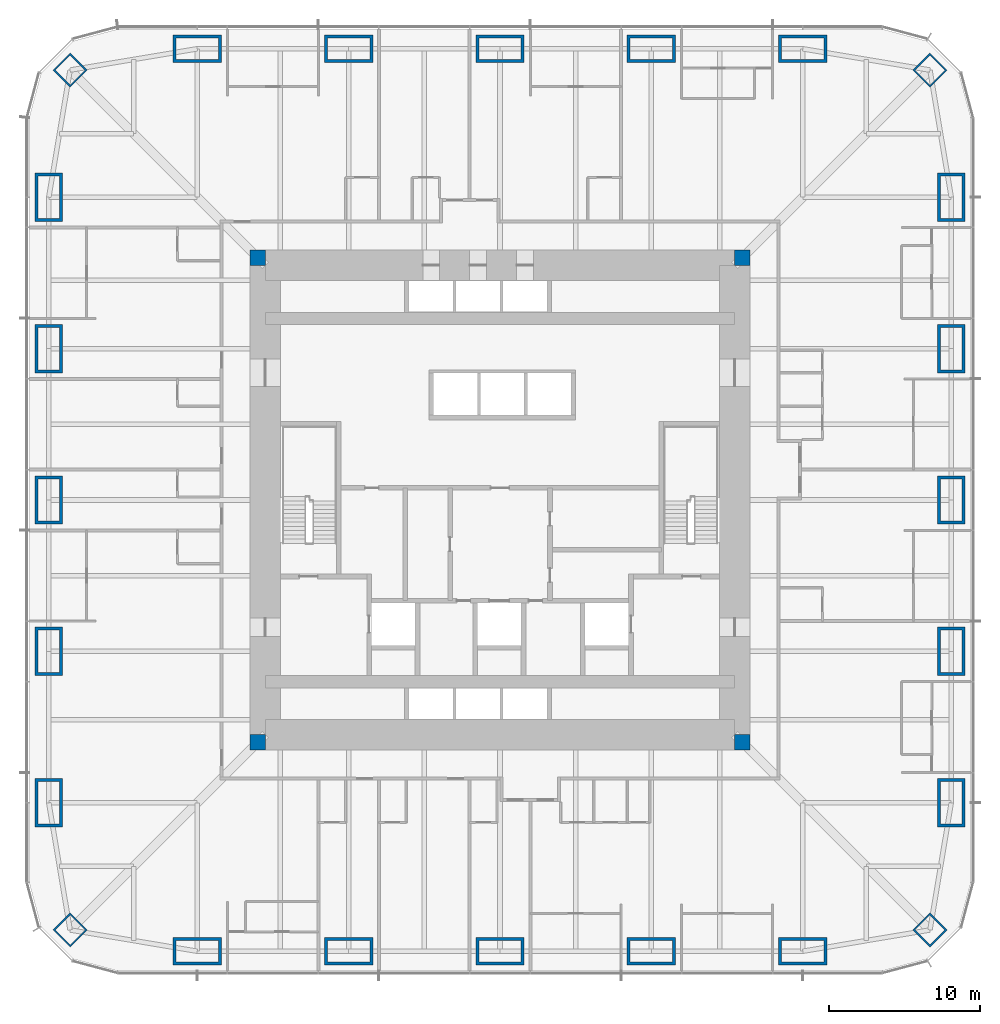
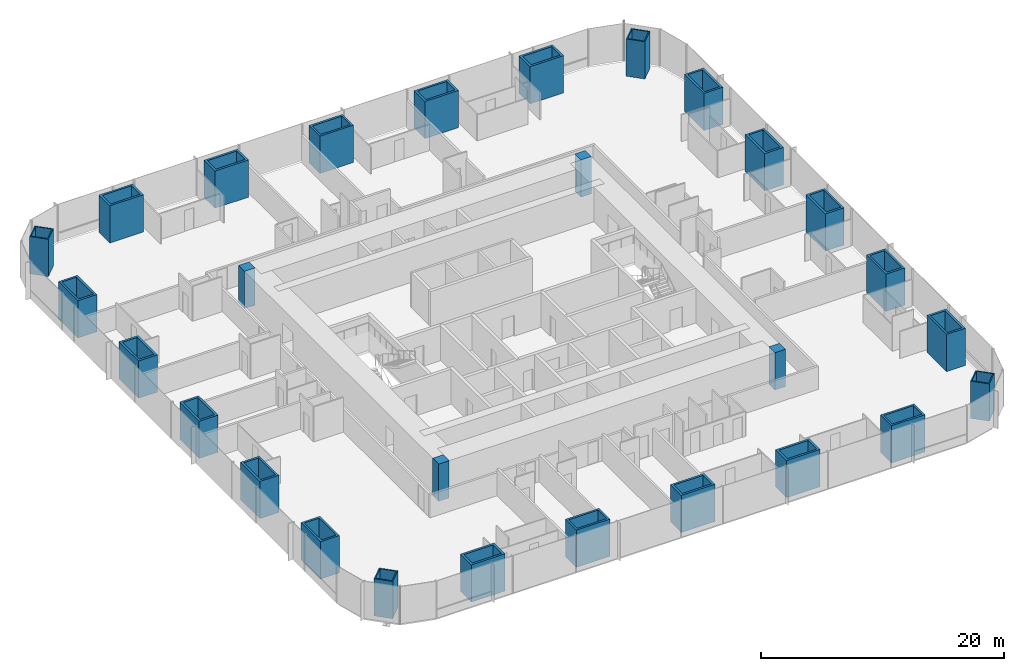
# One storey, part 1 of 16: 28 columns.
"""IFC4 building model written with IfcOpenShell, lengths in metres."""

import ifcopenshell
import ifcopenshell.guid

model = None  # the IFC model being written
_history = None  # IfcOwnerHistory: only IFC2X3 demands one
_inside = {}  # id of a spatial element -> (the spatial element, [elements in it])
_under = {}  # id of a project, library or spatial element -> (it, [spatial elements below it])
_declared = {}  # id of a project -> (the project, [libraries it declares])
_typed = {}  # id of a type object -> (the type object, [elements of that type])
_made_of = {}  # id of a material, layer set ... -> (it, [elements and type objects made of it])


def new_model(schema):
    """Start an empty IFC model of exactly this schema.

    Asked for "IFC4X3", IfcOpenShell would pick the latest addendum, in which some entities
    have other attributes; the version numbers below select the first issue.
    IFC2X3 requires an IfcOwnerHistory on every rooted entity: one is made here for all.
    """
    global model, _history
    if schema == "IFC4X3":
        model = ifcopenshell.file(schema_version=(4, 3, 0, 0))
    else:
        model = ifcopenshell.file(schema=schema)
    _inside.clear()
    _under.clear()
    _declared.clear()
    _typed.clear()
    _made_of.clear()
    _history = None
    if model.schema == "IFC2X3":
        org = make("IfcOrganization", Name="unknown")
        user = make(
            "IfcPersonAndOrganization",
            ThePerson=make("IfcPerson", FamilyName="unknown"),
            TheOrganization=org,
        )
        app = make(
            "IfcApplication",
            ApplicationDeveloper=org,
            Version="unknown",
            ApplicationFullName="unknown",
            ApplicationIdentifier="unknown",
        )
        _history = make(
            "IfcOwnerHistory",
            OwningUser=user,
            OwningApplication=app,
            ChangeAction="ADDED",
            CreationDate=0,
        )
    return model


def make(cls, **values):
    """One entity of the class cls with the attributes given. An attribute that is None is left unset."""
    return model.create_entity(
        cls, **{name: value for name, value in values.items() if value is not None}
    )


def rooted(cls, **values):
    """An entity with a GlobalId (a new one), such as an element, a storey or a relation."""
    return make(cls, GlobalId=ifcopenshell.guid.new(), OwnerHistory=_history, **values)


def si_unit(unit_type, name, prefix=None):
    """IfcSIUnit, for example si_unit("LENGTHUNIT", "METRE", prefix="MILLI")."""
    return make("IfcSIUnit", UnitType=unit_type, Prefix=prefix, Name=name)


def assignment(units):
    """IfcUnitAssignment: the units of a project."""
    return None if units is None else make("IfcUnitAssignment", Units=units)


def point(xyz):
    """IfcCartesianPoint."""
    return None if xyz is None else make("IfcCartesianPoint", Coordinates=xyz)


def direction(xyz):
    """IfcDirection."""
    return None if xyz is None else make("IfcDirection", DirectionRatios=xyz)


def frame(location, z_axis=None, x_axis=None):
    """IfcAxis2Placement3D, a coordinate frame: its origin and axes. An axis left out is left unset."""
    return make(
        "IfcAxis2Placement3D",
        Location=point(location),
        Axis=direction(z_axis),
        RefDirection=direction(x_axis),
    )


def frame_2d(location, x_axis=None):
    """IfcAxis2Placement2D, a coordinate frame in the plane: its origin and x axis."""
    return make(
        "IfcAxis2Placement2D", Location=point(location), RefDirection=direction(x_axis)
    )


def origin():
    """The frame at (0, 0, 0) with its axes left unset."""
    return frame((0.0, 0.0, 0.0))


def origin_2d():
    """The frame at (0, 0) in the plane with its x axis left unset."""
    return frame_2d((0.0, 0.0))


def place(relative_to, where):
    """IfcLocalPlacement: puts the frame where relative to a parent placement (None: the world)."""
    return make(
        "IfcLocalPlacement", PlacementRelTo=relative_to, RelativePlacement=where
    )


def context(
    kind, dimensions, precision=None, world=None, true_north=None, identifier=None
):
    """IfcGeometricRepresentationContext, for example the 3D "Model" context."""
    return make(
        "IfcGeometricRepresentationContext",
        ContextIdentifier=identifier,
        ContextType=kind,
        CoordinateSpaceDimension=dimensions,
        Precision=precision,
        WorldCoordinateSystem=world,
        TrueNorth=true_north,
    )


def subcontext(parent, identifier, kind, view, scale=None):
    """IfcGeometricRepresentationSubContext, for example "Body" below "Model"."""
    return make(
        "IfcGeometricRepresentationSubContext",
        ContextIdentifier=identifier,
        ContextType=kind,
        ParentContext=parent,
        TargetScale=scale,
        TargetView=view,
    )


def project(units=None, contexts=None):
    """IfcProject with its units and contexts."""
    return rooted(
        "IfcProject",
        Name="project",
        RepresentationContexts=contexts,
        UnitsInContext=assignment(units),
    )


def spatial(cls, under=None, at=None, **own):
    """A site, building, storey or space (cls), placed at a placement, below another one or the project."""
    s = rooted(cls, ObjectPlacement=at, **own)
    if under is not None:
        _under.setdefault(under.id(), (under, []))[1].append(s)
    return s


def profile(cls, at=None, kind="AREA", **sizes):
    """A parametric profile (cls). Its sizes go by their IFC names, for example OverallWidth=200.0."""
    return make(cls, ProfileType=kind, Position=at, **sizes)


def rectangle(**sizes):
    """IfcRectangleProfileDef."""
    return profile("IfcRectangleProfileDef", **sizes)


def hollow_rectangle(**sizes):
    """IfcRectangleHollowProfileDef."""
    return profile("IfcRectangleHollowProfileDef", **sizes)


def extrude(swept, where, along, depth):
    """IfcExtrudedAreaSolid: the profile swept, set in the frame where, extruded along a direction by depth."""
    return make(
        "IfcExtrudedAreaSolid",
        SweptArea=swept,
        Position=where,
        ExtrudedDirection=direction(along),
        Depth=depth,
    )


def shape(context_of_items, identifier, shape_type, items):
    """IfcShapeRepresentation: the items that make up one representation, for example the "Body"."""
    return make(
        "IfcShapeRepresentation",
        ContextOfItems=context_of_items,
        RepresentationIdentifier=identifier,
        RepresentationType=shape_type,
        Items=items,
    )


def material(Name=None, Category=None):
    """IfcMaterial."""
    return make("IfcMaterial", Name=Name, Category=Category)


def material_profile(
    of_material, cross_section, Name=None, Category=None, Priority=None
):
    """IfcMaterialProfile: a cross section and its material."""
    return make(
        "IfcMaterialProfile",
        Name=Name,
        Material=of_material,
        Profile=cross_section,
        Priority=Priority,
        Category=Category,
    )


def profile_set(profiles, Name=None, composite=None):
    """IfcMaterialProfileSet."""
    return make(
        "IfcMaterialProfileSet",
        Name=Name,
        MaterialProfiles=profiles,
        CompositeProfile=composite,
    )


def made_of(thing, what):
    """Note that an element or type object is made of a material, layer set ...; save() writes the relation."""
    if what is not None:
        _made_of.setdefault(what.id(), (what, []))[1].append(thing)
    return thing


def type_object(cls, material=None, **own):
    """A type object (cls), such as IfcWallType, which elements share."""
    return made_of(rooted(cls, **own), material)


def element(
    cls,
    number,
    at=None,
    inside=None,
    cuts=None,
    type_object=None,
    material=None,
    context=None,
    identifier="Body",
    shape_type=None,
    held_by="IfcProductDefinitionShape",
    body=None,
    shapes=None,
    **own,
):
    """One element of the class cls, such as IfcWall. Its Tag is "e" and its number.

    at: its placement. inside: the storey or other place that contains it. cuts: it is an
    opening in that element (IfcRelVoidsElement). A single representation is given by context,
    identifier, shape_type and body (its items); several are given by shapes. held_by: the class
    of the entity that holds the representations. save() writes the other relations.
    """
    e = rooted(cls, Tag="e%d" % number, ObjectPlacement=at, **own)
    if body is not None:
        shapes = [shape(context, identifier, shape_type, body)]
    if shapes is not None:
        e.Representation = make(held_by, Representations=shapes)
    if inside is not None:
        _inside.setdefault(inside.id(), (inside, []))[1].append(e)
    if cuts is not None:
        rooted(
            "IfcRelVoidsElement", RelatingBuildingElement=cuts, RelatedOpeningElement=e
        )
    if type_object is not None:
        _typed.setdefault(type_object.id(), (type_object, []))[1].append(e)
    return made_of(e, material)


def aggregate(whole, parts):
    """IfcRelAggregates: a whole, such as a stair, and the parts it consists of."""
    return rooted("IfcRelAggregates", RelatingObject=whole, RelatedObjects=parts)


def save(model, path):
    """Write the relations noted so far, then the file.

    IfcRelAggregates (storeys below a building ...), IfcRelContainedInSpatialStructure (elements
    in a storey), IfcRelDefinesByType, IfcRelAssociatesMaterial and IfcRelDeclares: one each for
    every whole, place, type object, material and project.
    """
    for whole, parts in _under.values():
        aggregate(whole, parts)
    for where, things in _inside.values():
        rooted(
            "IfcRelContainedInSpatialStructure",
            RelatedElements=things,
            RelatingStructure=where,
        )
    for kind, things in _typed.values():
        rooted("IfcRelDefinesByType", RelatedObjects=things, RelatingType=kind)
    for what, things in _made_of.values():
        rooted("IfcRelAssociatesMaterial", RelatedObjects=things, RelatingMaterial=what)
    for by, libraries in _declared.values():
        rooted("IfcRelDeclares", RelatingContext=by, RelatedDefinitions=libraries)
    model.write(path)


model = new_model("IFC4")

# Units and contexts
model_context = context("Model", 3, precision=1e-05, world=origin(), true_north=direction((0.0, 1.0)))
body_context = subcontext(model_context, "Body", "Model", "MODEL_VIEW")
ifc_project = project(units=[si_unit("LENGTHUNIT", "METRE"), si_unit("AREAUNIT", "SQUARE_METRE"), si_unit("VOLUMEUNIT", "CUBIC_METRE"), si_unit("PLANEANGLEUNIT", "RADIAN"), si_unit("MASSUNIT", "GRAM", prefix="KILO")], contexts=[model_context])

# Site, building, storey
site_placement = place(None, origin())
site = spatial("IfcSite", under=ifc_project, at=site_placement, CompositionType="ELEMENT")
building_placement = place(site_placement, origin())
building = spatial("IfcBuilding", under=site, at=building_placement, Name="Khuree Lantern Residences", CompositionType="ELEMENT")
storey_placement = place(building_placement, frame((0.0, 0.0, 69.75)))
storey = spatial("IfcBuildingStorey", under=building, at=storey_placement, Name="L17", CompositionType="ELEMENT", Elevation=69.75)

# Columns
ifc_material_1 = material(Name="Steel S355 CFT welded box", Category="steel")
ifc_material_profile_1 = material_profile(ifc_material_1, hollow_rectangle(XDim=1.60009765625, YDim=1.60009765625, WallThickness=0.10009765625, at=origin_2d()), Name="WELDED BOX 1600X1600X100")
ifc_profile_set_1 = profile_set([ifc_material_profile_1], Name="Steel S355 CFT welded box")
column_type_1 = type_object("IfcColumnType", Name="CC1600 PERIMETER CORNER MEGA COLUMN WELDED BOX 1600X1600X100", PredefinedType="COLUMN", material=ifc_profile_set_1)
for number, where, z_axis, x_axis, name in (
    (1, (28.39404296875, 28.39404296875, 0.0), (0.0, 0.0, 1.0), (0.707106781187, -0.707106781187, 0.0), "Perimeter column NE"),
    (2, (28.39404296875, -28.39404296875, 0.0), (0.0, 0.0, 1.0), (0.707106781187, 0.707106781187, 0.0), "Perimeter column SE"),
    (3, (-28.39404296875, -28.39404296875, 0.0), (0.0, 0.0, 1.0), (0.707106781187, -0.707106781187, 0.0), "Perimeter column SW"),
    (4, (-28.39404296875, 28.39404296875, 0.0), (0.0, 0.0, 1.0), (0.707106781187, 0.707106781187, 0.0), "Perimeter column NW"),
):
    element("IfcColumn", number, at=place(storey_placement, frame(where, z_axis=z_axis, x_axis=x_axis)), inside=storey, type_object=column_type_1, Name=name, PredefinedType="COLUMN", context=body_context, shape_type="SweptSolid", body=[
        extrude(hollow_rectangle(XDim=1.60009765625, YDim=1.60009765625, WallThickness=0.10009765625, at=origin_2d()), origin(), (0.0, 0.0, 1.0), 3.75),
    ])
ifc_material_2 = material(Name="Concrete C70/85", Category="concrete")
ifc_material_profile_2 = material_profile(ifc_material_2, rectangle(XDim=1.0, YDim=1.0, at=origin_2d()), Name="RC 1000X1000")
ifc_profile_set_2 = profile_set([ifc_material_profile_2], Name="Concrete C70/85")
column_type_2 = type_object("IfcColumnType", Name="CP1000-C70 CORE CORNER PIER C70 RC 1000X1000", PredefinedType="COLUMN", material=ifc_profile_set_2)
for number, where, z_axis, x_axis, name in (
    (5, (16.0, 16.0, -0.25), (0.0, 0.0, 1.0), (1.0, 0.0, 0.0), "Core corner pier NE"),
    (6, (-16.0, 16.0, -0.25), (0.0, 0.0, 1.0), (1.0, 0.0, 0.0), "Core corner pier NW"),
    (7, (-16.0, -16.0, -0.25), (0.0, 0.0, 1.0), (1.0, 0.0, 0.0), "Core corner pier SW"),
    (8, (16.0, -16.0, -0.25), (0.0, 0.0, 1.0), (1.0, 0.0, 0.0), "Core corner pier SE"),
):
    element("IfcColumn", number, at=place(storey_placement, frame(where, z_axis=z_axis, x_axis=x_axis)), inside=storey, type_object=column_type_2, Name=name, PredefinedType="COLUMN", context=body_context, shape_type="SweptSolid", body=[
        extrude(rectangle(XDim=1.0, YDim=1.0, at=origin_2d()), origin(), (0.0, 0.0, 1.0), 3.75),
    ])
ifc_material_profile_3 = material_profile(ifc_material_1, hollow_rectangle(XDim=3.199951171875, YDim=1.800048828125, WallThickness=0.199951171875, at=origin_2d()), Name="WELDED BOX 3200X1800X200")
ifc_profile_set_3 = profile_set([ifc_material_profile_3], Name="Steel S355 CFT welded box")
column_type_3 = type_object("IfcColumnType", Name="SC1 PERIMETER MEGA COLUMN WELDED BOX 3200X1800X200", PredefinedType="COLUMN", material=ifc_profile_set_3)
for number, where, z_axis, x_axis, name in (
    (9, (-20.0, 29.800048828125, 0.0), (0.0, 0.0, 1.0), (1.0, 0.0, 0.0), "Perimeter column N1"),
    (10, (-10.0, 29.800048828125, 0.0), (0.0, 0.0, 1.0), (1.0, 0.0, 0.0), "Perimeter column N2"),
    (11, (0.0, 29.800048828125, 0.0), (0.0, 0.0, 1.0), (1.0, 0.0, 0.0), "Perimeter column N3"),
    (12, (10.0, 29.800048828125, 0.0), (0.0, 0.0, 1.0), (1.0, 0.0, 0.0), "Perimeter column N4"),
    (13, (20.0, 29.800048828125, 0.0), (0.0, 0.0, 1.0), (1.0, 0.0, 0.0), "Perimeter column N5"),
    (14, (29.800048828125, 20.0, 0.0), (0.0, 0.0, 1.0), (0.0, 1.0, 0.0), "Perimeter column E1"),
    (15, (29.800048828125, 10.0, 0.0), (0.0, 0.0, 1.0), (0.0, 1.0, 0.0), "Perimeter column E2"),
    (16, (29.800048828125, 0.0, 0.0), (0.0, 0.0, 1.0), (0.0, 1.0, 0.0), "Perimeter column E3"),
    (17, (29.800048828125, -10.0, 0.0), (0.0, 0.0, 1.0), (0.0, 1.0, 0.0), "Perimeter column E4"),
    (18, (29.800048828125, -20.0, 0.0), (0.0, 0.0, 1.0), (0.0, 1.0, 0.0), "Perimeter column E5"),
    (19, (20.0, -29.800048828125, 0.0), (0.0, 0.0, 1.0), (1.0, 0.0, 0.0), "Perimeter column S1"),
    (20, (10.0, -29.800048828125, 0.0), (0.0, 0.0, 1.0), (1.0, 0.0, 0.0), "Perimeter column S2"),
    (21, (0.0, -29.800048828125, 0.0), (0.0, 0.0, 1.0), (1.0, 0.0, 0.0), "Perimeter column S3"),
    (22, (-10.0, -29.800048828125, 0.0), (0.0, 0.0, 1.0), (1.0, 0.0, 0.0), "Perimeter column S4"),
    (23, (-20.0, -29.800048828125, 0.0), (0.0, 0.0, 1.0), (1.0, 0.0, 0.0), "Perimeter column S5"),
    (24, (-29.800048828125, -20.0, 0.0), (0.0, 0.0, 1.0), (0.0, 1.0, 0.0), "Perimeter column W1"),
    (25, (-29.800048828125, -10.0, 0.0), (0.0, 0.0, 1.0), (0.0, 1.0, 0.0), "Perimeter column W2"),
    (26, (-29.800048828125, 0.0, 0.0), (0.0, 0.0, 1.0), (0.0, 1.0, 0.0), "Perimeter column W3"),
    (27, (-29.800048828125, 10.0, 0.0), (0.0, 0.0, 1.0), (0.0, 1.0, 0.0), "Perimeter column W4"),
    (28, (-29.800048828125, 20.0, 0.0), (0.0, 0.0, 1.0), (0.0, 1.0, 0.0), "Perimeter column W5"),
):
    element("IfcColumn", number, at=place(storey_placement, frame(where, z_axis=z_axis, x_axis=x_axis)), inside=storey, type_object=column_type_3, Name=name, PredefinedType="COLUMN", context=body_context, shape_type="SweptSolid", body=[
        extrude(hollow_rectangle(XDim=3.199951171875, YDim=1.800048828125, WallThickness=0.199951171875, at=origin_2d()), origin(), (0.0, 0.0, 1.0), 3.75),
    ])

save(model, "model.ifc")
